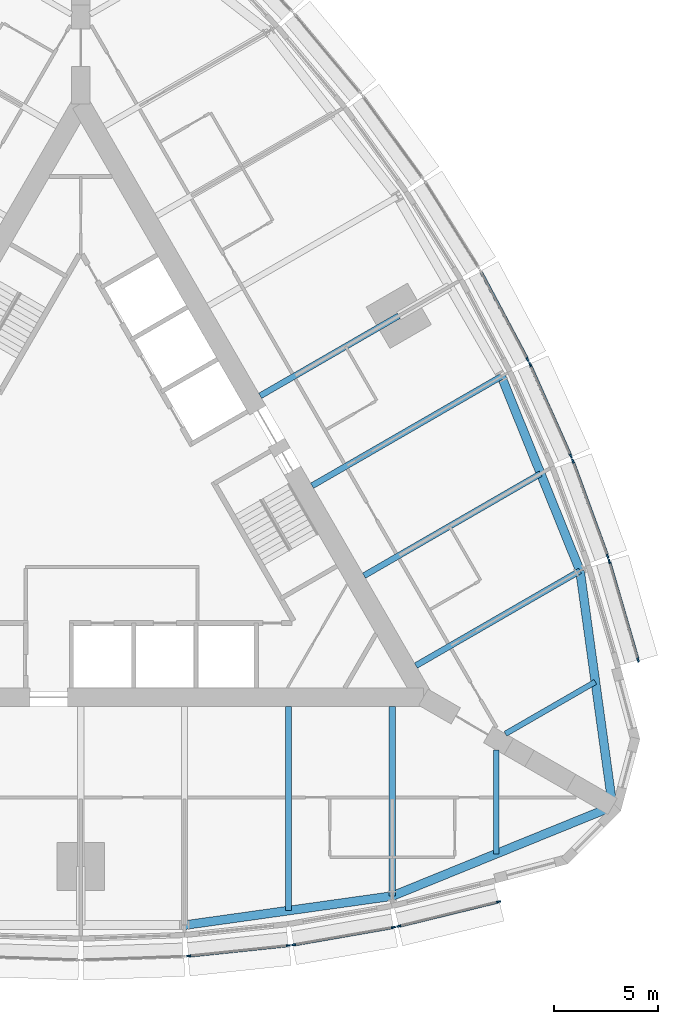
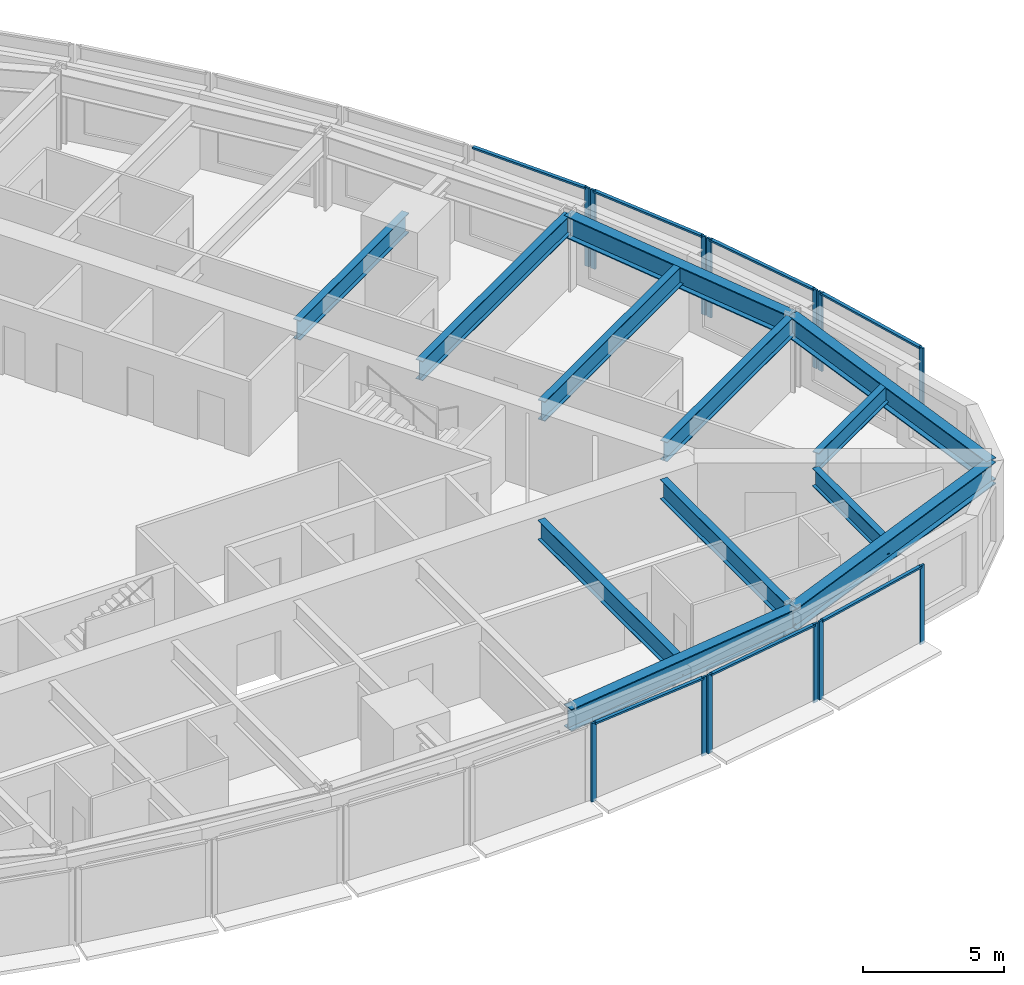
# One storey, part 3 of 14: 20 members, 12 beams, 7 elements without a shape of their own.
"""IFC4 building model written with IfcOpenShell, lengths in metres."""

from ifc_helpers import new_model, si_unit, direction, frame, origin, origin_2d, place, context, subcontext, project, spatial, rectangle, i_section, extrude, material, material_profile, profile_set, type_object, element, aggregate, save


model = new_model("IFC4")

# Units and contexts
model_context = context("Model", 3, precision=1e-05, world=origin(), true_north=direction((0.0, 1.0)))
body_context = subcontext(model_context, "Body", "Model", "MODEL_VIEW")
ifc_project = project(units=[si_unit("LENGTHUNIT", "METRE"), si_unit("AREAUNIT", "SQUARE_METRE"), si_unit("VOLUMEUNIT", "CUBIC_METRE"), si_unit("PLANEANGLEUNIT", "RADIAN"), si_unit("MASSUNIT", "GRAM", prefix="KILO")], contexts=[model_context])

# Site, building, storey
site_placement = place(None, origin())
site = spatial("IfcSite", under=ifc_project, at=site_placement, CompositionType="ELEMENT")
building_placement = place(site_placement, origin())
building = spatial("IfcBuilding", under=site, at=building_placement, Name="Trikona Tower", CompositionType="ELEMENT")
storey_placement = place(building_placement, frame((0.0, 0.0, 179.300048828125)))
storey = spatial("IfcBuildingStorey", under=building, at=storey_placement, Name="L48", CompositionType="ELEMENT", Elevation=179.300048828125)

# Curtain wall, members
ifc_material_1 = material(Name="Aluminium curtain wall system", Category="aluminium")
curtain_wall_type = type_object("IfcCurtainWallType", Name="Curtain wall DS2", PredefinedType="NOTDEFINED", material=ifc_material_1)
curtain_wall_1_placement = place(storey_placement, origin())
curtain_wall_1 = element("IfcCurtainWall", 1, at=curtain_wall_1_placement, inside=storey, type_object=curtain_wall_type, Name="Curtain wall DS2 L48", PredefinedType="NOTDEFINED")
ifc_material_2 = material(Name="Aluminium mullion, pale anodised", Category="aluminium")
ifc_material_profile_1 = material_profile(ifc_material_2, rectangle(XDim=0.080078125, YDim=0.199951171875, at=origin_2d()), Name="MUL-DS2")
ifc_profile_set_1 = profile_set([ifc_material_profile_1], Name="Aluminium mullion, pale anodised")
member_type_1 = type_object("IfcMemberType", Name="Mullion DS2 80x200", PredefinedType="MULLION", material=ifc_profile_set_1)
member_1_placement = place(storey_placement, frame((5.193359375, -21.98486328125, 0.0), z_axis=(0.0, 0.0, 1.0), x_axis=(-0.104433387357, 0.994531883654, 0.0)))
member_1 = element("IfcMember", 2, at=member_1_placement, type_object=member_type_1, Name="CW-DS2 mullion 1", PredefinedType="MULLION", context=body_context, shape_type="SweptSolid", body=[
    extrude(rectangle(XDim=0.080078125, YDim=0.199951171875, at=origin_2d()), origin(), (0.0, 0.0, 1.0), 3.39990234375),
])
member_2_placement = place(storey_placement, frame((9.99462890625, -21.480712890625, 0.0), z_axis=(0.0, 0.0, 1.0), x_axis=(-0.104433387357, 0.994531883654, 0.0)))
member_2 = element("IfcMember", 3, at=member_2_placement, type_object=member_type_1, Name="CW-DS2 mullion 2", PredefinedType="MULLION", context=body_context, shape_type="SweptSolid", body=[
    extrude(rectangle(XDim=0.080078125, YDim=0.199951171875, at=origin_2d()), origin(), (0.0, 0.0, 1.0), 3.39990234375),
])

curtain_wall_2_placement = place(storey_placement, origin())
curtain_wall_2 = element("IfcCurtainWall", 4, at=curtain_wall_2_placement, inside=storey, type_object=curtain_wall_type, Name="Curtain wall DS2 L48", PredefinedType="NOTDEFINED")
member_3_placement = place(storey_placement, frame((10.253662109375, -21.444580078125, 0.0), z_axis=(0.0, 0.0, 1.0), x_axis=(-0.17237739505, 0.985030981074, 0.0)))
member_3 = element("IfcMember", 5, at=member_3_placement, type_object=member_type_1, Name="CW-DS2 mullion 1", PredefinedType="MULLION", context=body_context, shape_type="SweptSolid", body=[
    extrude(rectangle(XDim=0.080078125, YDim=0.199951171875, at=origin_2d()), origin(), (0.0, 0.0, 1.0), 3.39990234375),
])
member_4_placement = place(storey_placement, frame((15.056640625, -20.60400390625, 0.0), z_axis=(0.0, 0.0, 1.0), x_axis=(-0.17237739505, 0.985030981074, 0.0)))
member_4 = element("IfcMember", 6, at=member_4_placement, type_object=member_type_1, Name="CW-DS2 mullion 2", PredefinedType="MULLION", context=body_context, shape_type="SweptSolid", body=[
    extrude(rectangle(XDim=0.080078125, YDim=0.199951171875, at=origin_2d()), origin(), (0.0, 0.0, 1.0), 3.39990234375),
])

curtain_wall_3_placement = place(storey_placement, origin())
curtain_wall_3 = element("IfcCurtainWall", 7, at=curtain_wall_3_placement, inside=storey, type_object=curtain_wall_type, Name="Curtain wall DS2 L48", PredefinedType="NOTDEFINED")
member_5_placement = place(storey_placement, frame((15.311279296875, -20.550537109375, 0.0), z_axis=(0.0, 0.0, 1.0), x_axis=(-0.237970204243, 0.971272455026, 0.0)))
member_5 = element("IfcMember", 8, at=member_5_placement, type_object=member_type_1, Name="CW-DS2 mullion 1", PredefinedType="MULLION", context=body_context, shape_type="SweptSolid", body=[
    extrude(rectangle(XDim=0.080078125, YDim=0.199951171875, at=origin_2d()), origin(), (0.0, 0.0, 1.0), 3.39990234375),
])
member_6_placement = place(storey_placement, frame((20.116943359375, -19.373046875, 0.0), z_axis=(0.0, 0.0, 1.0), x_axis=(-0.237970204243, 0.971272455026, 0.0)))
member_6 = element("IfcMember", 9, at=member_6_placement, type_object=member_type_1, Name="CW-DS2 mullion 2", PredefinedType="MULLION", context=body_context, shape_type="SweptSolid", body=[
    extrude(rectangle(XDim=0.080078125, YDim=0.199951171875, at=origin_2d()), origin(), (0.0, 0.0, 1.0), 3.39990234375),
])

curtain_wall_4_placement = place(storey_placement, origin())
curtain_wall_4 = element("IfcCurtainWall", 10, at=curtain_wall_4_placement, inside=storey, type_object=curtain_wall_type, Name="Curtain wall DS2 L48", PredefinedType="NOTDEFINED")
member_7_placement = place(storey_placement, frame((26.836181640625, -7.7353515625, 0.0), z_axis=(0.0, 0.0, 1.0), x_axis=(-0.96013310152, -0.279543247757, 0.0)))
member_7 = element("IfcMember", 11, at=member_7_placement, type_object=member_type_1, Name="CW-DS2 mullion 1", PredefinedType="MULLION", context=body_context, shape_type="SweptSolid", body=[
    extrude(rectangle(XDim=0.080078125, YDim=0.199951171875, at=origin_2d()), origin(), (0.0, 0.0, 1.0), 3.39990234375),
])
member_8_placement = place(storey_placement, frame((25.452880859375, -2.984619140625, 0.0), z_axis=(0.0, 0.0, 1.0), x_axis=(-0.96013310152, -0.279543247757, 0.0)))
member_8 = element("IfcMember", 12, at=member_8_placement, type_object=member_type_1, Name="CW-DS2 mullion 2", PredefinedType="MULLION", context=body_context, shape_type="SweptSolid", body=[
    extrude(rectangle(XDim=0.080078125, YDim=0.199951171875, at=origin_2d()), origin(), (0.0, 0.0, 1.0), 3.39990234375),
])

curtain_wall_5_placement = place(storey_placement, origin())
curtain_wall_5 = element("IfcCurtainWall", 13, at=curtain_wall_5_placement, inside=storey, type_object=curtain_wall_type, Name="Curtain wall DS2 L48", PredefinedType="NOTDEFINED")
member_9_placement = place(storey_placement, frame((25.371826171875, -2.737548828125, 0.0), z_axis=(0.0, 0.0, 1.0), x_axis=(-0.939253790978, -0.343223420143, 0.0)))
member_9 = element("IfcMember", 14, at=member_9_placement, type_object=member_type_1, Name="CW-DS2 mullion 1", PredefinedType="MULLION", context=body_context, shape_type="SweptSolid", body=[
    extrude(rectangle(XDim=0.080078125, YDim=0.199951171875, at=origin_2d()), origin(), (0.0, 0.0, 1.0), 3.39990234375),
])
member_10_placement = place(storey_placement, frame((23.6982421875, 1.84228515625, 0.0), z_axis=(0.0, 0.0, 1.0), x_axis=(-0.939253790978, -0.343223420143, 0.0)))
member_10 = element("IfcMember", 15, at=member_10_placement, type_object=member_type_1, Name="CW-DS2 mullion 2", PredefinedType="MULLION", context=body_context, shape_type="SweptSolid", body=[
    extrude(rectangle(XDim=0.080078125, YDim=0.199951171875, at=origin_2d()), origin(), (0.0, 0.0, 1.0), 3.39990234375),
])

curtain_wall_6_placement = place(storey_placement, origin())
curtain_wall_6 = element("IfcCurtainWall", 16, at=curtain_wall_6_placement, inside=storey, type_object=curtain_wall_type, Name="Curtain wall DS2 L48", PredefinedType="NOTDEFINED")
member_11_placement = place(storey_placement, frame((23.60009765625, 2.0849609375, 0.0), z_axis=(0.0, 0.0, 1.0), x_axis=(-0.913501208767, -0.406836013132, 0.0)))
member_11 = element("IfcMember", 17, at=member_11_placement, type_object=member_type_1, Name="CW-DS2 mullion 1", PredefinedType="MULLION", context=body_context, shape_type="SweptSolid", body=[
    extrude(rectangle(XDim=0.080078125, YDim=0.199951171875, at=origin_2d()), origin(), (0.0, 0.0, 1.0), 3.39990234375),
])
member_12_placement = place(storey_placement, frame((21.63623046875, 6.494873046875, 0.0), z_axis=(0.0, 0.0, 1.0), x_axis=(-0.913501208767, -0.406836013132, 0.0)))
member_12 = element("IfcMember", 18, at=member_12_placement, type_object=member_type_1, Name="CW-DS2 mullion 2", PredefinedType="MULLION", context=body_context, shape_type="SweptSolid", body=[
    extrude(rectangle(XDim=0.080078125, YDim=0.199951171875, at=origin_2d()), origin(), (0.0, 0.0, 1.0), 3.39990234375),
])

# Curtain wall, member
curtain_wall_7_placement = place(storey_placement, origin())
curtain_wall_7 = element("IfcCurtainWall", 19, at=curtain_wall_7_placement, inside=storey, type_object=curtain_wall_type, Name="Curtain wall DS2 L48", PredefinedType="NOTDEFINED")
member_13_placement = place(storey_placement, frame((21.52099609375, 6.730712890625, 0.0), z_axis=(0.0, 0.0, 1.0), x_axis=(-0.882996107343, -0.469380308937, 0.0)))
member_13 = element("IfcMember", 20, at=member_13_placement, type_object=member_type_1, Name="CW-DS2 mullion 1", PredefinedType="MULLION", context=body_context, shape_type="SweptSolid", body=[
    extrude(rectangle(XDim=0.080078125, YDim=0.199951171875, at=origin_2d()), origin(), (0.0, 0.0, 1.0), 3.39990234375),
])

# Beams
ifc_material_3 = material(Name="Steel ASTM A992 Grade 50", Category="steel")
ifc_material_profile_2 = material_profile(ifc_material_3, i_section(OverallWidth=0.2666015625, OverallDepth=0.76953125, WebThickness=0.015625, FlangeThickness=0.025390625, at=origin_2d()), Name="W30X132")
ifc_profile_set_2 = profile_set([ifc_material_profile_2], Name="Steel ASTM A992 Grade 50")
beam_type_1 = type_object("IfcBeamType", Name="Steel beam W30x132 (wedge)", PredefinedType="BEAM", material=ifc_profile_set_2)
beam_1_placement = place(storey_placement, frame((20.0, -12.066650390625, 2.85009765625), z_axis=(0.0, -1.0, 0.0), x_axis=(1.0, 0.0, 0.0)))
element("IfcBeam", 21, at=beam_1_placement, inside=storey, type_object=beam_type_1, Name="Floor beam L49 F1 u20", PredefinedType="BEAM", context=body_context, shape_type="SweptSolid", body=[
    extrude(i_section(OverallWidth=0.2666015625, OverallDepth=0.76953125, WebThickness=0.015625, FlangeThickness=0.025390625, at=origin_2d()), origin(), (0.0, 0.0, 1.0), 5.00048828125),
])
beam_2_placement = place(storey_placement, frame((20.449951171875, -11.287109375, 2.85009765625), z_axis=(0.866038434829, 0.49997742889, 0.0), x_axis=(-0.49997742889, 0.866038434829, 0.0)))
element("IfcBeam", 22, at=beam_2_placement, inside=storey, type_object=beam_type_1, Name="Floor beam L49 F2 u-20", PredefinedType="BEAM", context=body_context, shape_type="SweptSolid", body=[
    extrude(i_section(OverallWidth=0.2666015625, OverallDepth=0.76953125, WebThickness=0.015625, FlangeThickness=0.025390625, at=origin_2d()), origin(), (0.0, 0.0, 1.0), 5.000732421875),
])
ifc_material_4 = material(Name="Steel ASTM A992 Grade 50", Category="steel")
ifc_material_profile_3 = material_profile(ifc_material_4, i_section(OverallWidth=0.2919921875, OverallDepth=0.845703125, WebThickness=0.015380859375, FlangeThickness=0.0244140625, at=origin_2d()), Name="W33X141")
ifc_profile_set_3 = profile_set([ifc_material_profile_3], Name="Steel ASTM A992 Grade 50")
beam_type_2 = type_object("IfcBeamType", Name="Steel beam W33x141 (radial typ)", PredefinedType="BEAM", material=ifc_profile_set_3)
beam_3_placement = place(storey_placement, frame((10.0, -9.976318359375, 2.81201171875), z_axis=(0.0, -1.0, 0.0), x_axis=(1.0, 0.0, 0.0)))
element("IfcBeam", 23, at=beam_3_placement, inside=storey, type_object=beam_type_2, Name="Floor beam L49 F1 u10", PredefinedType="BEAM", context=body_context, shape_type="SweptSolid", body=[
    extrude(i_section(OverallWidth=0.2919921875, OverallDepth=0.845703125, WebThickness=0.015380859375, FlangeThickness=0.0244140625, at=origin_2d()), origin(), (0.0, 0.0, 1.0), 9.823974609375),
])
beam_4_placement = place(storey_placement, frame((15.0, -9.976318359375, 2.81201171875), z_axis=(0.0, -1.0, 0.0), x_axis=(1.0, 0.0, 0.0)))
element("IfcBeam", 24, at=beam_4_placement, inside=storey, type_object=beam_type_2, Name="Floor beam L49 F1 u15", PredefinedType="BEAM", context=body_context, shape_type="SweptSolid", body=[
    extrude(i_section(OverallWidth=0.2919921875, OverallDepth=0.845703125, WebThickness=0.015380859375, FlangeThickness=0.0244140625, at=origin_2d()), origin(), (0.0, 0.0, 1.0), 9.123779296875),
])
beam_5_placement = place(storey_placement, frame((16.1396484375, -8.002197265625, 2.81201171875), z_axis=(0.866024725532, 0.500001174766, 0.0), x_axis=(-0.500001174766, 0.866024725532, 0.0)))
element("IfcBeam", 25, at=beam_5_placement, inside=storey, type_object=beam_type_2, Name="Floor beam L49 F2 u-15", PredefinedType="BEAM", context=body_context, shape_type="SweptSolid", body=[
    extrude(i_section(OverallWidth=0.2919921875, OverallDepth=0.845703125, WebThickness=0.015380859375, FlangeThickness=0.0244140625, at=origin_2d()), origin(), (0.0, 0.0, 1.0), 9.1240234375),
])
beam_6_placement = place(storey_placement, frame((13.6396484375, -3.672119140625, 2.81201171875), z_axis=(0.866020046725, 0.500009278584, 0.0), x_axis=(-0.500009278584, 0.866020046725, 0.0)))
element("IfcBeam", 26, at=beam_6_placement, inside=storey, type_object=beam_type_2, Name="Floor beam L49 F2 u-10", PredefinedType="BEAM", context=body_context, shape_type="SweptSolid", body=[
    extrude(i_section(OverallWidth=0.2919921875, OverallDepth=0.845703125, WebThickness=0.015380859375, FlangeThickness=0.0244140625, at=origin_2d()), origin(), (0.0, 0.0, 1.0), 9.823974609375),
])
beam_7_placement = place(storey_placement, frame((11.1396484375, 0.657958984375, 2.81201171875), z_axis=(0.866026035623, 0.499998905622, 0.0), x_axis=(-0.499998905622, 0.866026035623, 0.0)))
element("IfcBeam", 27, at=beam_7_placement, inside=storey, type_object=beam_type_2, Name="Floor beam L49 F2 u-5", PredefinedType="BEAM", context=body_context, shape_type="SweptSolid", body=[
    extrude(i_section(OverallWidth=0.2919921875, OverallDepth=0.845703125, WebThickness=0.015380859375, FlangeThickness=0.0244140625, at=origin_2d()), origin(), (0.0, 0.0, 1.0), 10.52392578125),
])
beam_8_placement = place(storey_placement, frame((8.6396484375, 4.988037109375, 2.81201171875), z_axis=(0.866017246294, 0.500014128921, 0.0), x_axis=(-0.500014128921, 0.866017246294, 0.0)))
element("IfcBeam", 28, at=beam_8_placement, inside=storey, type_object=beam_type_2, Name="Floor beam L49 F2 u0", PredefinedType="BEAM", context=body_context, shape_type="SweptSolid", body=[
    extrude(i_section(OverallWidth=0.2919921875, OverallDepth=0.845703125, WebThickness=0.015380859375, FlangeThickness=0.0244140625, at=origin_2d()), origin(), (0.0, 0.0, 1.0), 7.704345703125),
])
ifc_material_5 = material(Name="Steel ASTM A992 Grade 50", Category="steel")
ifc_material_profile_4 = material_profile(ifc_material_5, i_section(OverallWidth=0.424072265625, OverallDepth=0.947509765625, WebThickness=0.02392578125, FlangeThickness=0.042724609375, at=origin_2d()), Name="W36X302")
ifc_profile_set_4 = profile_set([ifc_material_profile_4], Name="Steel ASTM A992 Grade 50")
beam_type_3 = type_object("IfcBeamType", Name="Steel beam W36x302 (spandrel)", PredefinedType="SPANDREL", material=ifc_profile_set_4)
beam_9_placement = place(storey_placement, frame((5.0, -20.500244140625, 2.76123046875), z_axis=(0.990339754644, 0.13866207258, 0.0), x_axis=(-0.13866207258, 0.990339754644, 0.0)))
element("IfcBeam", 29, at=beam_9_placement, inside=storey, type_object=beam_type_3, Name="Spandrel beam L49 F1-4", PredefinedType="SPANDREL", context=body_context, shape_type="SweptSolid", body=[
    extrude(i_section(OverallWidth=0.424072265625, OverallDepth=0.947509765625, WebThickness=0.02392578125, FlangeThickness=0.042724609375, at=origin_2d()), origin(), (0.0, 0.0, 1.0), 10.09765625),
])
for number, where, z_axis, x_axis, name in (
    (30, (15.0, -19.10009765625, 2.76123046875), (0.926359695662, 0.376640032728, 0.0), (-0.376640032728, 0.926359695662, 0.0), "Spandrel beam L49 F1-5"),
    (31, (25.6103515625, -14.7861328125, 2.76123046875), (-0.136991535842, 0.990572218017, 0.0), (-0.990572218017, -0.136991535842, 0.0), "Spandrel beam L49 F2-1"),
):
    element("IfcBeam", number, at=place(storey_placement, frame(where, z_axis=z_axis, x_axis=x_axis)), inside=storey, type_object=beam_type_3, Name=name, PredefinedType="SPANDREL", context=body_context, shape_type="SweptSolid", body=[
        extrude(i_section(OverallWidth=0.424072265625, OverallDepth=0.947509765625, WebThickness=0.02392578125, FlangeThickness=0.042724609375, at=origin_2d()), origin(), (0.0, 0.0, 1.0), 11.453857421875),
    ])
beam_10_placement = place(storey_placement, frame((24.041259765625, -3.440185546875, 2.76123046875), z_axis=(-0.375106193787, 0.926981846307, 0.0), x_axis=(-0.926981846307, -0.375106193787, 0.0)))
element("IfcBeam", 32, at=beam_10_placement, inside=storey, type_object=beam_type_3, Name="Spandrel beam L49 F2-2", PredefinedType="SPANDREL", context=body_context, shape_type="SweptSolid", body=[
    extrude(i_section(OverallWidth=0.424072265625, OverallDepth=0.947509765625, WebThickness=0.02392578125, FlangeThickness=0.042724609375, at=origin_2d()), origin(), (0.0, 0.0, 1.0), 10.097412109375),
])

# Member
ifc_material_6 = material(Name="Aluminium transom, pale anodised", Category="aluminium")
ifc_material_profile_5 = material_profile(ifc_material_6, rectangle(XDim=0.139892578125, YDim=0.080078125, at=origin_2d()), Name="TRN-DS2")
ifc_profile_set_5 = profile_set([ifc_material_profile_5], Name="Aluminium transom, pale anodised")
member_type_2 = type_object("IfcMemberType", Name="Transom DS2 80x140", PredefinedType="USERDEFINED", material=ifc_profile_set_5)
member_14_placement = place(storey_placement, frame((5.233154296875, -21.980712890625, 3.35986328125), z_axis=(0.99453106441, 0.104441188822, 0.0), x_axis=(-0.104441188822, 0.99453106441, 0.0)))
member_14 = element("IfcMember", 33, at=member_14_placement, type_object=member_type_2, Name="CW-DS2 transom 1.1", ObjectType="TRANSOM", PredefinedType="USERDEFINED", context=body_context, shape_type="SweptSolid", body=[
    extrude(rectangle(XDim=0.139892578125, YDim=0.080078125, at=origin_2d()), origin(), (0.0, 0.0, 1.0), 4.74755859375),
])

aggregate(curtain_wall_1, [member_1, member_2, member_14])

member_15_placement = place(storey_placement, frame((10.29296875, -21.4375, 3.35986328125), z_axis=(0.98503262804, 0.172367983387, 0.0), x_axis=(-0.172367983387, 0.98503262804, 0.0)))
member_15 = element("IfcMember", 34, at=member_15_placement, type_object=member_type_2, Name="CW-DS2 transom 1.1", ObjectType="TRANSOM", PredefinedType="USERDEFINED", context=body_context, shape_type="SweptSolid", body=[
    extrude(rectangle(XDim=0.139892578125, YDim=0.080078125, at=origin_2d()), origin(), (0.0, 0.0, 1.0), 4.7958984375),
])

aggregate(curtain_wall_2, [member_3, member_4, member_15])

member_16_placement = place(storey_placement, frame((15.35009765625, -20.541015625, 3.35986328125), z_axis=(0.971270583303, 0.237977843528, 0.0), x_axis=(-0.237977843528, 0.971270583303, 0.0)))
member_16 = element("IfcMember", 35, at=member_16_placement, type_object=member_type_2, Name="CW-DS2 transom 1.1", ObjectType="TRANSOM", PredefinedType="USERDEFINED", context=body_context, shape_type="SweptSolid", body=[
    extrude(rectangle(XDim=0.139892578125, YDim=0.080078125, at=origin_2d()), origin(), (0.0, 0.0, 1.0), 4.867919921875),
])

aggregate(curtain_wall_3, [member_5, member_6, member_16])

member_17_placement = place(storey_placement, frame((26.824951171875, -7.69677734375, 3.35986328125), z_axis=(-0.279566628153, 0.960126293996, 0.0), x_axis=(-0.960126293996, -0.279566628153, 0.0)))
member_17 = element("IfcMember", 36, at=member_17_placement, type_object=member_type_2, Name="CW-DS2 transom 1.1", ObjectType="TRANSOM", PredefinedType="USERDEFINED", context=body_context, shape_type="SweptSolid", body=[
    extrude(rectangle(XDim=0.139892578125, YDim=0.080078125, at=origin_2d()), origin(), (0.0, 0.0, 1.0), 4.86767578125),
])

aggregate(curtain_wall_4, [member_7, member_8, member_17])

member_18_placement = place(storey_placement, frame((25.358154296875, -2.699951171875, 3.35986328125), z_axis=(-0.343205907674, 0.939260190223, 0.0), x_axis=(-0.939260190223, -0.343205907674, 0.0)))
member_18 = element("IfcMember", 37, at=member_18_placement, type_object=member_type_2, Name="CW-DS2 transom 1.1", ObjectType="TRANSOM", PredefinedType="USERDEFINED", context=body_context, shape_type="SweptSolid", body=[
    extrude(rectangle(XDim=0.139892578125, YDim=0.080078125, at=origin_2d()), origin(), (0.0, 0.0, 1.0), 4.7958984375),
])

aggregate(curtain_wall_5, [member_9, member_10, member_18])

member_19_placement = place(storey_placement, frame((23.583740234375, 2.12158203125, 3.35986328125), z_axis=(-0.406839769607, 0.913499535778, 0.0), x_axis=(-0.913499535778, -0.406839769607, 0.0)))
member_19 = element("IfcMember", 38, at=member_19_placement, type_object=member_type_2, Name="CW-DS2 transom 1.1", ObjectType="TRANSOM", PredefinedType="USERDEFINED", context=body_context, shape_type="SweptSolid", body=[
    extrude(rectangle(XDim=0.139892578125, YDim=0.080078125, at=origin_2d()), origin(), (0.0, 0.0, 1.0), 4.747314453125),
])

aggregate(curtain_wall_6, [member_11, member_12, member_19])

member_20_placement = place(storey_placement, frame((21.502197265625, 6.76611328125, 3.35986328125), z_axis=(-0.469364343408, 0.883004594063, 0.0), x_axis=(-0.883004594063, -0.469364343408, 0.0)))
member_20 = element("IfcMember", 39, at=member_20_placement, type_object=member_type_2, Name="CW-DS2 transom 1.1", ObjectType="TRANSOM", PredefinedType="USERDEFINED", context=body_context, shape_type="SweptSolid", body=[
    extrude(rectangle(XDim=0.139892578125, YDim=0.080078125, at=origin_2d()), origin(), (0.0, 0.0, 1.0), 4.722900390625),
])

aggregate(curtain_wall_7, [member_13, member_20])

save(model, "model.ifc")
